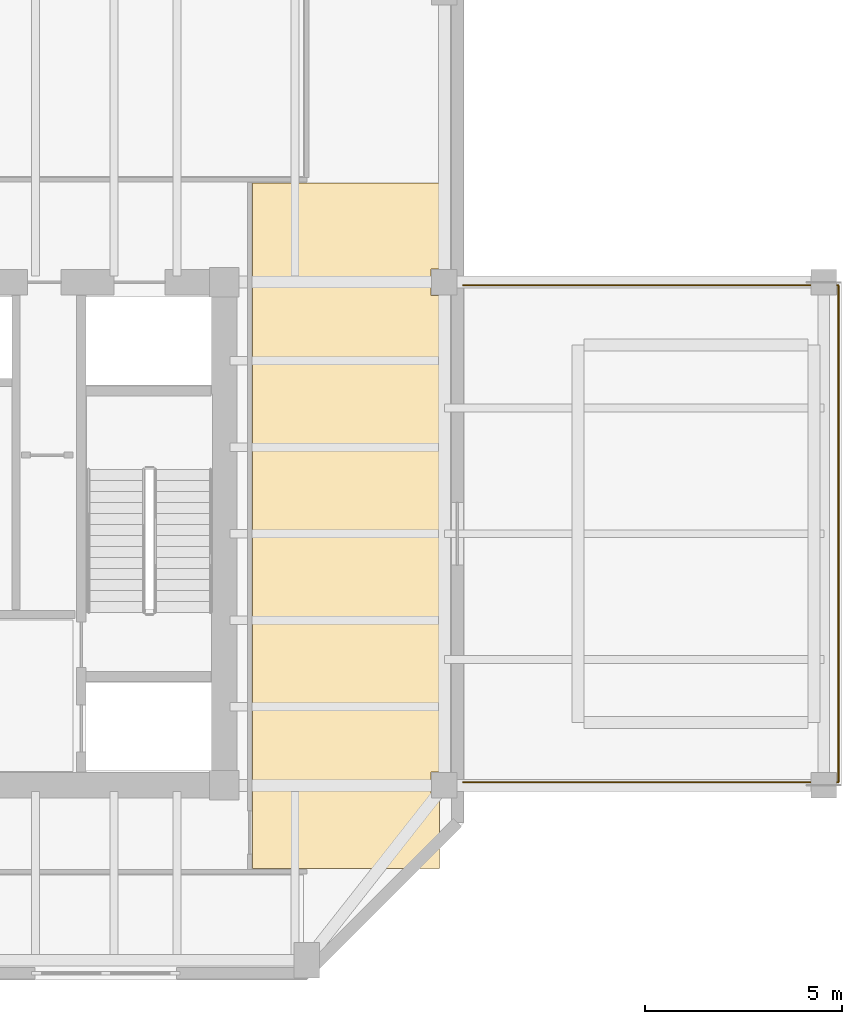
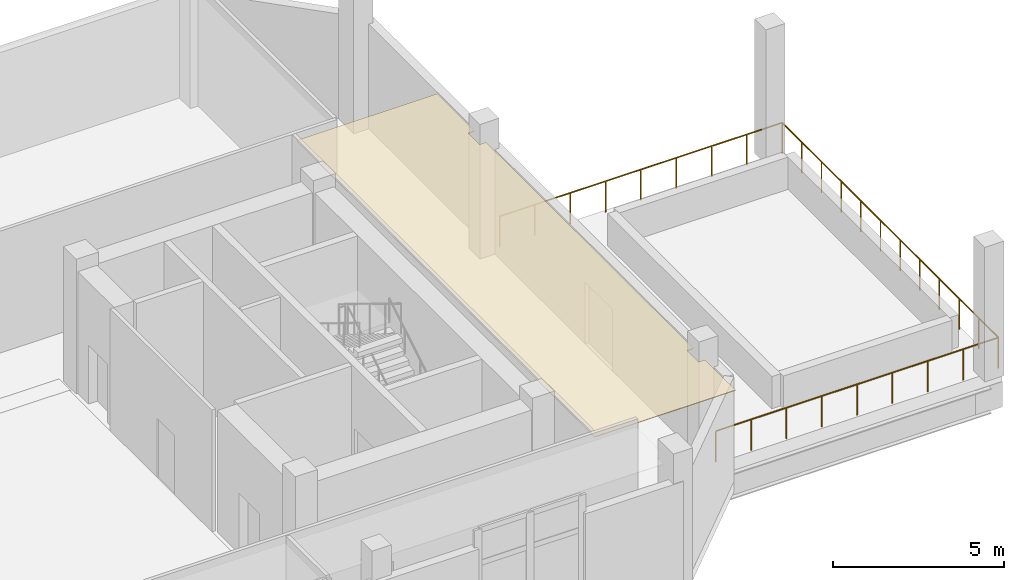
# One storey, part 10 of 11: 1 covering, 1 railing.
"""IFC4 building model written with IfcOpenShell, lengths in metres."""

from ifc_helpers import new_model, si_unit, direction, frame, origin, origin_2d, place, context, subcontext, project, spatial, polyline, circle, outline, extrude, material, layer, layer_set, type_object, element, save


model = new_model("IFC4")

# Units and contexts
model_context = context("Model", 3, precision=1e-05, world=origin(), true_north=direction((0.0, 1.0)))
body_context = subcontext(model_context, "Body", "Model", "MODEL_VIEW")
ifc_project = project(units=[si_unit("LENGTHUNIT", "METRE"), si_unit("AREAUNIT", "SQUARE_METRE"), si_unit("VOLUMEUNIT", "CUBIC_METRE"), si_unit("PLANEANGLEUNIT", "RADIAN"), si_unit("MASSUNIT", "GRAM", prefix="KILO")], contexts=[model_context])

# Site, building, storey
site_placement = place(None, origin())
site = spatial("IfcSite", under=ifc_project, at=site_placement, CompositionType="ELEMENT")
building_placement = place(site_placement, origin())
building = spatial("IfcBuilding", under=site, at=building_placement, Name="Kranthara Brick Stack", CompositionType="ELEMENT")
storey_placement = place(building_placement, frame((0.0, 0.0, 287.39990234375)))
storey = spatial("IfcBuildingStorey", under=building, at=storey_placement, Name="L76", CompositionType="ELEMENT", Elevation=287.39990234375)

# Covering
ifc_material_1 = material(Name="Perforated mineral-fibre acoustic ceiling tile", Category="other")
ifc_layer = layer(ifc_material_1, 0.02490234375)
ifc_layer_set = layer_set([ifc_layer], Name="Perforated mineral-fibre acoustic ceiling tile")
covering_type = type_object("IfcCoveringType", Name="COV-CEIL-ACOUSTIC", PredefinedType="CEILING", material=ifc_layer_set)
covering_placement = place(storey_placement, frame((0.0, 0.0, 4.080078125)))
element("IfcCovering", 1, at=covering_placement, inside=storey, type_object=covering_type, Name="L76 L76 East Sky Pool Lounge Bar Acoustic Ceiling", PredefinedType="CEILING", context=body_context, shape_type="SweptSolid", body=[
    extrude(outline(polyline([(43.919921875, 18.679931640625), (43.919921875, 36.1201171875), (48.679931640625, 36.1201171875), (48.679931640625, 33.93505859375), (48.465087890625, 33.93505859375), (48.465087890625, 33.264892578125), (48.679931640625, 33.264892578125), (48.679931640625, 21.135009765625), (48.465087890625, 21.135009765625), (48.465087890625, 20.465087890625), (48.679931640625, 20.465087890625), (48.679931640625, 18.679931640625), (43.919921875, 18.679931640625)])), origin(), (0.0, 0.0, 1.0), 0.02490234375),
])

# Railing
ifc_material_2 = material(Name="Bronze anodised aluminium and laminated glass balustrade", Category="aluminium")
railing_type = type_object("IfcRailingType", Name="RL-BALC-1120", PredefinedType="BALUSTRADE", material=ifc_material_2)
railing_placement = place(storey_placement, frame((49.280029296875, 20.8798828125, 0.0)))
element("IfcRailing", 2, at=railing_placement, inside=storey, type_object=railing_type, Name="L76 Cantilevered Sky Pool Perimeter Balustrade", PredefinedType="BALUSTRADE", context=body_context, shape_type="SweptSolid", body=[
    extrude(circle(Radius=0.02392578125, at=origin_2d()), frame((0.0, 0.0, 1.09619140625), z_axis=(1.0, 0.0, 0.0), x_axis=(0.0, 1.0, 0.0)), (0.0, 0.0, 1.0), 9.5400390625),
    extrude(circle(Radius=0.02392578125, at=origin_2d()), frame((9.5400390625, 0.0, 1.09619140625), z_axis=(0.0, 1.0, 0.0), x_axis=(-1.0, 0.0, 0.0)), (0.0, 0.0, 1.0), 12.64013671875),
    extrude(circle(Radius=0.02392578125, at=origin_2d()), frame((9.5400390625, 12.64013671875, 1.09619140625), z_axis=(-1.0, 0.0, 0.0), x_axis=(0.0, -1.0, 0.0)), (0.0, 0.0, 1.0), 9.5400390625),
    extrude(circle(Radius=0.02099609375, at=origin_2d()), origin(), (0.0, 0.0, 1.0), 1.072021484375),
    extrude(circle(Radius=0.02099609375, at=origin_2d()), frame((1.1923828125, 0.0, 0.0)), (0.0, 0.0, 1.0), 1.072021484375),
    extrude(circle(Radius=0.02099609375, at=origin_2d()), frame((2.385009765625, 0.0, 0.0)), (0.0, 0.0, 1.0), 1.072021484375),
    extrude(circle(Radius=0.02099609375, at=origin_2d()), frame((3.57763671875, 0.0, 0.0)), (0.0, 0.0, 1.0), 1.072021484375),
    extrude(circle(Radius=0.02099609375, at=origin_2d()), frame((4.77001953125, 0.0, 0.0)), (0.0, 0.0, 1.0), 1.072021484375),
    extrude(circle(Radius=0.02099609375, at=origin_2d()), frame((5.96240234375, 0.0, 0.0)), (0.0, 0.0, 1.0), 1.072021484375),
    extrude(circle(Radius=0.02099609375, at=origin_2d()), frame((7.155029296875, 0.0, 0.0)), (0.0, 0.0, 1.0), 1.072021484375),
    extrude(circle(Radius=0.02099609375, at=origin_2d()), frame((8.34765625, 0.0, 0.0)), (0.0, 0.0, 1.0), 1.072021484375),
    extrude(circle(Radius=0.02099609375, at=origin_2d()), frame((9.5400390625, 0.0, 0.0)), (0.0, 0.0, 1.0), 1.072021484375),
    extrude(circle(Radius=0.02099609375, at=origin_2d()), frame((9.5400390625, 1.149169921875, 0.0)), (0.0, 0.0, 1.0), 1.072021484375),
    extrude(circle(Radius=0.02099609375, at=origin_2d()), frame((9.5400390625, 2.298095703125, 0.0)), (0.0, 0.0, 1.0), 1.072021484375),
    extrude(circle(Radius=0.02099609375, at=origin_2d()), frame((9.5400390625, 3.447265625, 0.0)), (0.0, 0.0, 1.0), 1.072021484375),
    extrude(circle(Radius=0.02099609375, at=origin_2d()), frame((9.5400390625, 4.596435546875, 0.0)), (0.0, 0.0, 1.0), 1.072021484375),
    extrude(circle(Radius=0.02099609375, at=origin_2d()), frame((9.5400390625, 5.74560546875, 0.0)), (0.0, 0.0, 1.0), 1.072021484375),
    extrude(circle(Radius=0.02099609375, at=origin_2d()), frame((9.5400390625, 6.89453125, 0.0)), (0.0, 0.0, 1.0), 1.072021484375),
    extrude(circle(Radius=0.02099609375, at=origin_2d()), frame((9.5400390625, 8.043701171875, 0.0)), (0.0, 0.0, 1.0), 1.072021484375),
    extrude(circle(Radius=0.02099609375, at=origin_2d()), frame((9.5400390625, 9.19287109375, 0.0)), (0.0, 0.0, 1.0), 1.072021484375),
    extrude(circle(Radius=0.02099609375, at=origin_2d()), frame((9.5400390625, 10.342041015625, 0.0)), (0.0, 0.0, 1.0), 1.072021484375),
    extrude(circle(Radius=0.02099609375, at=origin_2d()), frame((9.5400390625, 11.490966796875, 0.0)), (0.0, 0.0, 1.0), 1.072021484375),
    extrude(circle(Radius=0.02099609375, at=origin_2d()), frame((9.5400390625, 12.64013671875, 0.0)), (0.0, 0.0, 1.0), 1.072021484375),
    extrude(circle(Radius=0.02099609375, at=origin_2d()), frame((8.34765625, 12.64013671875, 0.0)), (0.0, 0.0, 1.0), 1.072021484375),
    extrude(circle(Radius=0.02099609375, at=origin_2d()), frame((7.155029296875, 12.64013671875, 0.0)), (0.0, 0.0, 1.0), 1.072021484375),
    extrude(circle(Radius=0.02099609375, at=origin_2d()), frame((5.96240234375, 12.64013671875, 0.0)), (0.0, 0.0, 1.0), 1.072021484375),
    extrude(circle(Radius=0.02099609375, at=origin_2d()), frame((4.77001953125, 12.64013671875, 0.0)), (0.0, 0.0, 1.0), 1.072021484375),
    extrude(circle(Radius=0.02099609375, at=origin_2d()), frame((3.57763671875, 12.64013671875, 0.0)), (0.0, 0.0, 1.0), 1.072021484375),
    extrude(circle(Radius=0.02099609375, at=origin_2d()), frame((2.385009765625, 12.64013671875, 0.0)), (0.0, 0.0, 1.0), 1.072021484375),
    extrude(circle(Radius=0.02099609375, at=origin_2d()), frame((1.1923828125, 12.64013671875, 0.0)), (0.0, 0.0, 1.0), 1.072021484375),
    extrude(circle(Radius=0.02099609375, at=origin_2d()), frame((0.0, 12.64013671875, 0.0)), (0.0, 0.0, 1.0), 1.072021484375),
])

save(model, "model.ifc")
